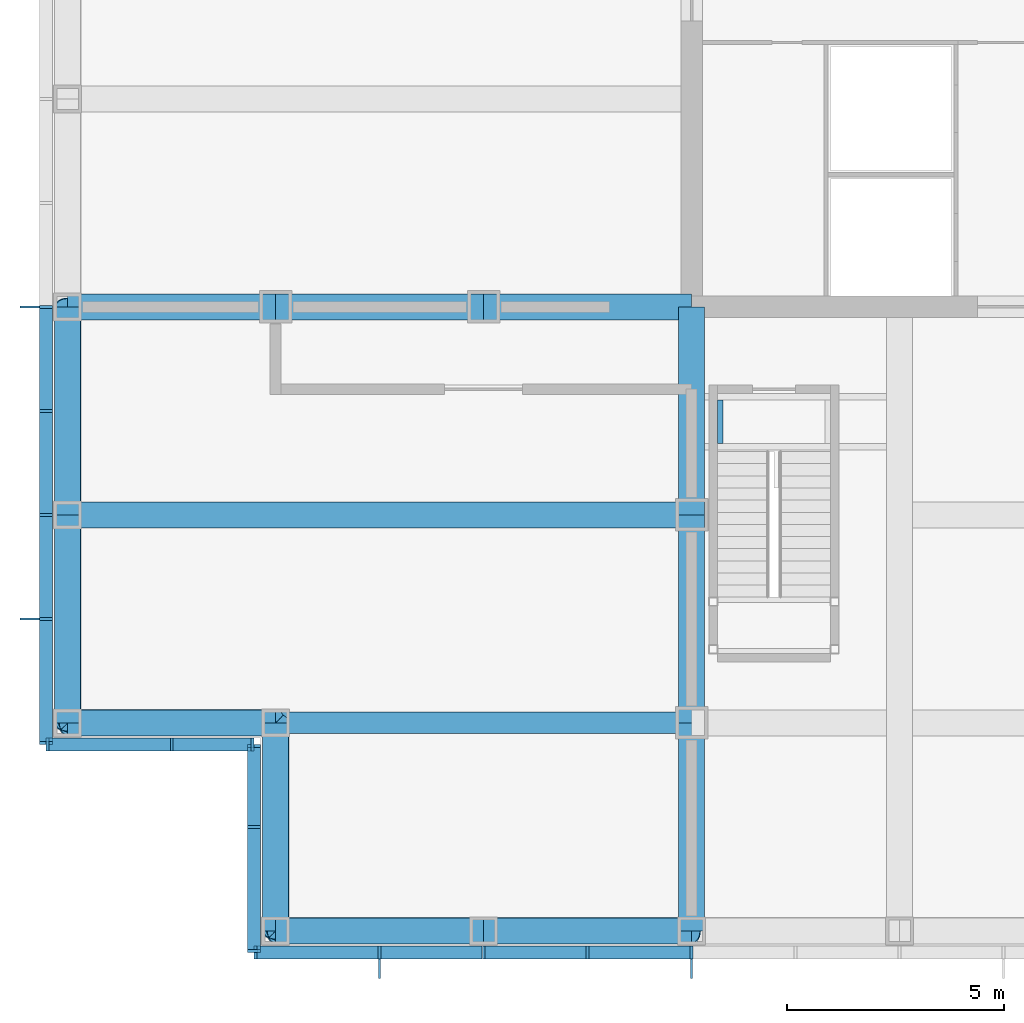
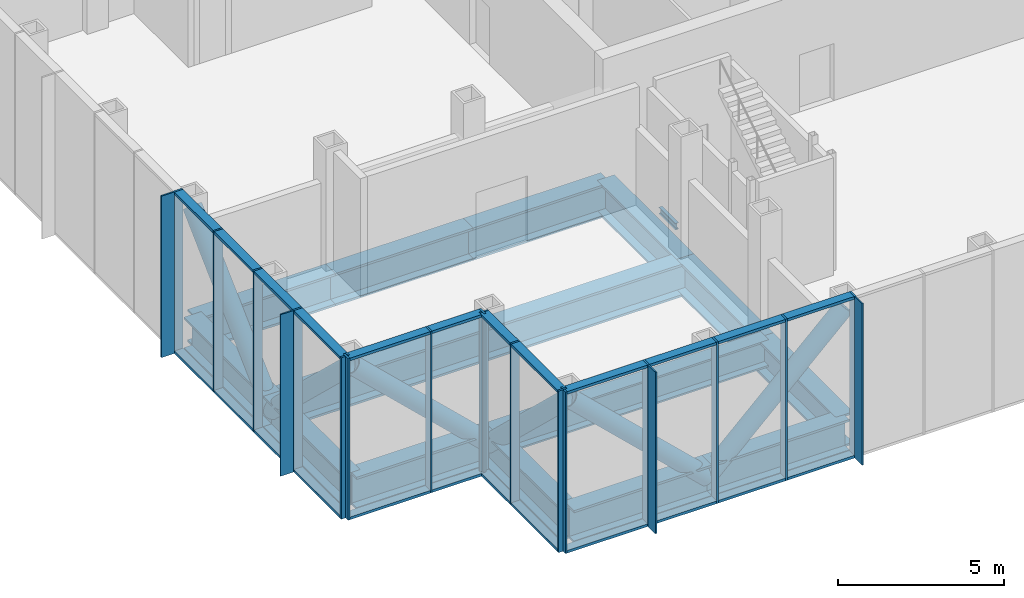
# One storey, part 6 of 18: 50 members, 15 beams, 4 elements without a shape of their own.
"""IFC4 building model written with IfcOpenShell, lengths in metres."""

from ifc_helpers import new_model, si_unit, direction, frame, origin, origin_2d, place, context, subcontext, project, spatial, rectangle, hollow_circle, i_section, extrude, material, material_profile, profile_set, type_object, element, aggregate, save


model = new_model("IFC4")

# Units and contexts
model_context = context("Model", 3, precision=1e-05, world=origin(), true_north=direction((0.0, 1.0)))
body_context = subcontext(model_context, "Body", "Model", "MODEL_VIEW")
ifc_project = project(units=[si_unit("LENGTHUNIT", "METRE"), si_unit("AREAUNIT", "SQUARE_METRE"), si_unit("VOLUMEUNIT", "CUBIC_METRE"), si_unit("PLANEANGLEUNIT", "RADIAN"), si_unit("MASSUNIT", "GRAM", prefix="KILO")], contexts=[model_context])

# Site, building, storey
site_placement = place(None, origin())
site = spatial("IfcSite", under=ifc_project, at=site_placement, CompositionType="ELEMENT")
building_placement = place(site_placement, origin())
building = spatial("IfcBuilding", under=site, at=building_placement, Name="Kvirike Care Tower", CompositionType="ELEMENT")
storey_placement = place(building_placement, frame((0.0, 0.0, 79.5)))
storey = spatial("IfcBuildingStorey", under=building, at=storey_placement, Name="L21", CompositionType="ELEMENT", Elevation=79.5)

# Members
ifc_material_1 = material(Name="Steel S355", Category="steel")
ifc_material_profile_1 = material_profile(ifc_material_1, hollow_circle(Radius=0.304931640625, WallThickness=0.030029296875, at=origin_2d()), Name="CHS 610x30")
ifc_profile_set_1 = profile_set([ifc_material_profile_1], Name="Steel S355")
member_type_1 = type_object("IfcMemberType", Name="BELT TRUSS DIAGONAL CHS 610x30", PredefinedType="BRACE", material=ifc_profile_set_1)
for number, where, z_axis, x_axis, name in (
    (1, (0.0, 24.0, -0.85009765625), (0.0, 0.723490032929, 0.690334826191), (-1.0, 0.0, 0.0), "Belt truss diagonal G3-F3 L21"),
    (2, (0.0, 24.0, -0.85009765625), (0.0, -0.723490032929, 0.690334826191), (1.0, 0.0, 0.0), "Belt truss diagonal F3-E3 L21"),
    (3, (4.800048828125, 19.199951171875, -0.85009765625), (-0.723490032929, 0.0, 0.690334826191), (0.0, -1.0, 0.0), "Belt truss diagonal E3-E4 L21"),
    (4, (4.800048828125, 19.199951171875, -0.85009765625), (0.0, -0.723490032929, 0.690334826191), (1.0, 0.0, 0.0), "Belt truss diagonal E4-D4 L21"),
    (5, (9.60009765625, 14.39990234375, -0.85009765625), (-0.723490032929, 0.0, 0.690334826191), (0.0, -1.0, 0.0), "Belt truss diagonal D4-D5 L21"),
):
    element("IfcMember", number, at=place(storey_placement, frame(where, z_axis=z_axis, x_axis=x_axis)), inside=storey, type_object=member_type_1, Name=name, PredefinedType="BRACE", context=body_context, shape_type="SweptSolid", body=[
        extrude(hollow_circle(Radius=0.304931640625, WallThickness=0.030029296875, at=origin_2d()), origin(), (0.0, 0.0, 1.0), 6.634521484375),
    ])
member_1_placement = place(storey_placement, frame((9.60009765625, 14.39990234375, -0.85009765625), z_axis=(0.723472495583, 0.0, 0.690353205348), x_axis=(0.0, 1.0, 0.0)))
element("IfcMember", 6, at=member_1_placement, inside=storey, type_object=member_type_1, Name="Belt truss diagonal D5-D6 L21", PredefinedType="BRACE", context=body_context, shape_type="SweptSolid", body=[
    extrude(hollow_circle(Radius=0.304931640625, WallThickness=0.030029296875, at=origin_2d()), origin(), (0.0, 0.0, 1.0), 6.63427734375),
])

# Curtain wall, members
ifc_material_2 = material(Name="Anodised aluminium stick system", Category="aluminium")
curtain_wall_type = type_object("IfcCurtainWallType", Name="CW-L LOUVRED PLANT SCREEN", PredefinedType="NOTDEFINED", material=ifc_material_2)
curtain_wall_1_placement = place(storey_placement, origin())
curtain_wall_1 = element("IfcCurtainWall", 7, at=curtain_wall_1_placement, inside=storey, type_object=curtain_wall_type, Name="Curtain wall L21 face 1", PredefinedType="NOTDEFINED")
ifc_material_3 = material(Name="Bronze anodised aluminium fin", Category="aluminium")
ifc_material_profile_2 = material_profile(ifc_material_3, rectangle(XDim=0.050048828125, YDim=0.449951171875, at=origin_2d()), Name="BRONZE FIN 450")
ifc_profile_set_2 = profile_set([ifc_material_profile_2], Name="Bronze anodised aluminium fin")
member_type_2 = type_object("IfcMemberType", Name="BRONZE FIN 450", PredefinedType="USERDEFINED", material=ifc_profile_set_2)
member_2_placement = place(storey_placement, frame((-0.875, 28.800048828125, -1.449951171875), z_axis=(0.0, 0.0, 1.0), x_axis=(0.0, -1.0, 0.0)))
member_2 = element("IfcMember", 8, at=member_2_placement, type_object=member_type_2, Name="Bronze fin L21 face 1.11", ObjectType="FIN", PredefinedType="USERDEFINED", context=body_context, shape_type="SweptSolid", body=[
    extrude(rectangle(XDim=0.050048828125, YDim=0.449951171875, at=origin_2d()), origin(), (0.0, 0.0, 1.0), 5.949951171875),
])
member_3_placement = place(storey_placement, frame((-0.875, 21.60009765625, -1.449951171875), z_axis=(0.0, 0.0, 1.0), x_axis=(0.0, -1.0, 0.0)))
member_3 = element("IfcMember", 9, at=member_3_placement, type_object=member_type_2, Name="Bronze fin L21 face 1.14", ObjectType="FIN", PredefinedType="USERDEFINED", context=body_context, shape_type="SweptSolid", body=[
    extrude(rectangle(XDim=0.050048828125, YDim=0.449951171875, at=origin_2d()), origin(), (0.0, 0.0, 1.0), 5.949951171875),
])

curtain_wall_2_placement = place(storey_placement, origin())
curtain_wall_2 = element("IfcCurtainWall", 10, at=curtain_wall_2_placement, inside=storey, type_object=curtain_wall_type, Name="Curtain wall L21 face 4", PredefinedType="NOTDEFINED")
member_4_placement = place(storey_placement, frame((7.199951171875, 13.52490234375, -1.449951171875), z_axis=(0.0, 0.0, 1.0), x_axis=(1.0, 0.0, 0.0)))
member_4 = element("IfcMember", 11, at=member_4_placement, type_object=member_type_2, Name="Bronze fin L21 face 4.2", ObjectType="FIN", PredefinedType="USERDEFINED", context=body_context, shape_type="SweptSolid", body=[
    extrude(rectangle(XDim=0.050048828125, YDim=0.449951171875, at=origin_2d()), origin(), (0.0, 0.0, 1.0), 5.949951171875),
])
member_5_placement = place(storey_placement, frame((14.39990234375, 13.52490234375, -1.449951171875), z_axis=(0.0, 0.0, 1.0), x_axis=(1.0, 0.0, 0.0)))
member_5 = element("IfcMember", 12, at=member_5_placement, type_object=member_type_2, Name="Bronze fin L21 face 4.5", ObjectType="FIN", PredefinedType="USERDEFINED", context=body_context, shape_type="SweptSolid", body=[
    extrude(rectangle(XDim=0.050048828125, YDim=0.449951171875, at=origin_2d()), origin(), (0.0, 0.0, 1.0), 5.949951171875),
])

# Member
ifc_material_4 = material(Name="Bronze anodised aluminium mullion", Category="aluminium")
ifc_material_profile_3 = material_profile(ifc_material_4, rectangle(XDim=0.06494140625, YDim=0.300048828125, at=origin_2d()), Name="CW-L MULLION 65x300")
ifc_profile_set_3 = profile_set([ifc_material_profile_3], Name="Bronze anodised aluminium mullion")
member_type_3 = type_object("IfcMemberType", Name="CW-L MULLION 65x300", PredefinedType="MULLION", material=ifc_profile_set_3)
member_6_placement = place(storey_placement, frame((-0.5, 28.800048828125, -1.449951171875), z_axis=(0.0, 0.0, 1.0), x_axis=(0.0, -1.0, 0.0)))
member_6 = element("IfcMember", 13, at=member_6_placement, type_object=member_type_3, Name="CW-L mullion L21 face 1.11", PredefinedType="MULLION", context=body_context, shape_type="SweptSolid", body=[
    extrude(rectangle(XDim=0.06494140625, YDim=0.300048828125, at=origin_2d()), origin(), (0.0, 0.0, 1.0), 5.949951171875),
])

member_7_placement = place(storey_placement, frame((-0.5, 26.39990234375, -1.449951171875), z_axis=(0.0, 0.0, 1.0), x_axis=(0.0, -1.0, 0.0)))
member_7 = element("IfcMember", 14, at=member_7_placement, type_object=member_type_3, Name="CW-L mullion L21 face 1.12", PredefinedType="MULLION", context=body_context, shape_type="SweptSolid", body=[
    extrude(rectangle(XDim=0.06494140625, YDim=0.300048828125, at=origin_2d()), origin(), (0.0, 0.0, 1.0), 5.949951171875),
])

member_8_placement = place(storey_placement, frame((-0.5, 24.0, -1.449951171875), z_axis=(0.0, 0.0, 1.0), x_axis=(0.0, -1.0, 0.0)))
member_8 = element("IfcMember", 15, at=member_8_placement, type_object=member_type_3, Name="CW-L mullion L21 face 1.13", PredefinedType="MULLION", context=body_context, shape_type="SweptSolid", body=[
    extrude(rectangle(XDim=0.06494140625, YDim=0.300048828125, at=origin_2d()), origin(), (0.0, 0.0, 1.0), 5.949951171875),
])

member_9_placement = place(storey_placement, frame((-0.5, 21.60009765625, -1.449951171875), z_axis=(0.0, 0.0, 1.0), x_axis=(0.0, -1.0, 0.0)))
member_9 = element("IfcMember", 16, at=member_9_placement, type_object=member_type_3, Name="CW-L mullion L21 face 1.14", PredefinedType="MULLION", context=body_context, shape_type="SweptSolid", body=[
    extrude(rectangle(XDim=0.06494140625, YDim=0.300048828125, at=origin_2d()), origin(), (0.0, 0.0, 1.0), 5.949951171875),
])

member_10_placement = place(storey_placement, frame((-0.5, 18.732421875, -1.449951171875), z_axis=(0.0, 0.0, 1.0), x_axis=(0.0, -1.0, 0.0)))
member_10 = element("IfcMember", 17, at=member_10_placement, type_object=member_type_3, Name="CW-L mullion L21 face 1.15", PredefinedType="MULLION", context=body_context, shape_type="SweptSolid", body=[
    extrude(rectangle(XDim=0.06494140625, YDim=0.300048828125, at=origin_2d()), origin(), (0.0, 0.0, 1.0), 5.949951171875),
])

# Curtain wall, members
curtain_wall_3_placement = place(storey_placement, origin())
curtain_wall_3 = element("IfcCurtainWall", 18, at=curtain_wall_3_placement, inside=storey, type_object=curtain_wall_type, Name="Curtain wall L21 face 2", PredefinedType="NOTDEFINED")
member_11_placement = place(storey_placement, frame((-0.467529296875, 18.699951171875, -1.449951171875), z_axis=(0.0, 0.0, 1.0), x_axis=(1.0, 0.0, 0.0)))
member_11 = element("IfcMember", 19, at=member_11_placement, type_object=member_type_3, Name="CW-L mullion L21 face 2.1", PredefinedType="MULLION", context=body_context, shape_type="SweptSolid", body=[
    extrude(rectangle(XDim=0.06494140625, YDim=0.300048828125, at=origin_2d()), origin(), (0.0, 0.0, 1.0), 5.949951171875),
])
member_12_placement = place(storey_placement, frame((2.39990234375, 18.699951171875, -1.449951171875), z_axis=(0.0, 0.0, 1.0), x_axis=(1.0, 0.0, 0.0)))
member_12 = element("IfcMember", 20, at=member_12_placement, type_object=member_type_3, Name="CW-L mullion L21 face 2.2", PredefinedType="MULLION", context=body_context, shape_type="SweptSolid", body=[
    extrude(rectangle(XDim=0.06494140625, YDim=0.300048828125, at=origin_2d()), origin(), (0.0, 0.0, 1.0), 5.949951171875),
])
member_13_placement = place(storey_placement, frame((4.267578125, 18.699951171875, -1.449951171875), z_axis=(0.0, 0.0, 1.0), x_axis=(1.0, 0.0, 0.0)))
member_13 = element("IfcMember", 21, at=member_13_placement, type_object=member_type_3, Name="CW-L mullion L21 face 2.3", PredefinedType="MULLION", context=body_context, shape_type="SweptSolid", body=[
    extrude(rectangle(XDim=0.06494140625, YDim=0.300048828125, at=origin_2d()), origin(), (0.0, 0.0, 1.0), 5.949951171875),
])

curtain_wall_4_placement = place(storey_placement, origin())
curtain_wall_4 = element("IfcCurtainWall", 22, at=curtain_wall_4_placement, inside=storey, type_object=curtain_wall_type, Name="Curtain wall L21 face 3", PredefinedType="NOTDEFINED")
member_14_placement = place(storey_placement, frame((4.300048828125, 18.66748046875, -1.449951171875), z_axis=(0.0, 0.0, 1.0), x_axis=(0.0, -1.0, 0.0)))
member_14 = element("IfcMember", 23, at=member_14_placement, type_object=member_type_3, Name="CW-L mullion L21 face 3.1", PredefinedType="MULLION", context=body_context, shape_type="SweptSolid", body=[
    extrude(rectangle(XDim=0.06494140625, YDim=0.300048828125, at=origin_2d()), origin(), (0.0, 0.0, 1.0), 5.949951171875),
])
member_15_placement = place(storey_placement, frame((4.300048828125, 16.800048828125, -1.449951171875), z_axis=(0.0, 0.0, 1.0), x_axis=(0.0, -1.0, 0.0)))
member_15 = element("IfcMember", 24, at=member_15_placement, type_object=member_type_3, Name="CW-L mullion L21 face 3.2", PredefinedType="MULLION", context=body_context, shape_type="SweptSolid", body=[
    extrude(rectangle(XDim=0.06494140625, YDim=0.300048828125, at=origin_2d()), origin(), (0.0, 0.0, 1.0), 5.949951171875),
])
member_16_placement = place(storey_placement, frame((4.300048828125, 13.9326171875, -1.449951171875), z_axis=(0.0, 0.0, 1.0), x_axis=(0.0, -1.0, 0.0)))
member_16 = element("IfcMember", 25, at=member_16_placement, type_object=member_type_3, Name="CW-L mullion L21 face 3.3", PredefinedType="MULLION", context=body_context, shape_type="SweptSolid", body=[
    extrude(rectangle(XDim=0.06494140625, YDim=0.300048828125, at=origin_2d()), origin(), (0.0, 0.0, 1.0), 5.949951171875),
])

# Member
member_17_placement = place(storey_placement, frame((4.33251953125, 13.89990234375, -1.449951171875), z_axis=(0.0, 0.0, 1.0), x_axis=(1.0, 0.0, 0.0)))
member_17 = element("IfcMember", 26, at=member_17_placement, type_object=member_type_3, Name="CW-L mullion L21 face 4.1", PredefinedType="MULLION", context=body_context, shape_type="SweptSolid", body=[
    extrude(rectangle(XDim=0.06494140625, YDim=0.300048828125, at=origin_2d()), origin(), (0.0, 0.0, 1.0), 5.949951171875),
])

member_18_placement = place(storey_placement, frame((7.199951171875, 13.89990234375, -1.449951171875), z_axis=(0.0, 0.0, 1.0), x_axis=(1.0, 0.0, 0.0)))
member_18 = element("IfcMember", 27, at=member_18_placement, type_object=member_type_3, Name="CW-L mullion L21 face 4.2", PredefinedType="MULLION", context=body_context, shape_type="SweptSolid", body=[
    extrude(rectangle(XDim=0.06494140625, YDim=0.300048828125, at=origin_2d()), origin(), (0.0, 0.0, 1.0), 5.949951171875),
])

member_19_placement = place(storey_placement, frame((9.60009765625, 13.89990234375, -1.449951171875), z_axis=(0.0, 0.0, 1.0), x_axis=(1.0, 0.0, 0.0)))
member_19 = element("IfcMember", 28, at=member_19_placement, type_object=member_type_3, Name="CW-L mullion L21 face 4.3", PredefinedType="MULLION", context=body_context, shape_type="SweptSolid", body=[
    extrude(rectangle(XDim=0.06494140625, YDim=0.300048828125, at=origin_2d()), origin(), (0.0, 0.0, 1.0), 5.949951171875),
])

member_20_placement = place(storey_placement, frame((12.0, 13.89990234375, -1.449951171875), z_axis=(0.0, 0.0, 1.0), x_axis=(1.0, 0.0, 0.0)))
member_20 = element("IfcMember", 29, at=member_20_placement, type_object=member_type_3, Name="CW-L mullion L21 face 4.4", PredefinedType="MULLION", context=body_context, shape_type="SweptSolid", body=[
    extrude(rectangle(XDim=0.06494140625, YDim=0.300048828125, at=origin_2d()), origin(), (0.0, 0.0, 1.0), 5.949951171875),
])

member_21_placement = place(storey_placement, frame((14.39990234375, 13.89990234375, -1.449951171875), z_axis=(0.0, 0.0, 1.0), x_axis=(1.0, 0.0, 0.0)))
member_21 = element("IfcMember", 30, at=member_21_placement, type_object=member_type_3, Name="CW-L mullion L21 face 4.5", PredefinedType="MULLION", context=body_context, shape_type="SweptSolid", body=[
    extrude(rectangle(XDim=0.06494140625, YDim=0.300048828125, at=origin_2d()), origin(), (0.0, 0.0, 1.0), 5.949951171875),
])

ifc_material_5 = material(Name="Bronze anodised aluminium transom", Category="aluminium")
ifc_material_profile_4 = material_profile(ifc_material_5, rectangle(XDim=0.300048828125, YDim=0.10009765625, at=origin_2d()), Name="CW-L TRANSOM 300x100")
ifc_profile_set_4 = profile_set([ifc_material_profile_4], Name="Bronze anodised aluminium transom")
member_type_4 = type_object("IfcMemberType", Name="CW-L TRANSOM 300x100", PredefinedType="USERDEFINED", material=ifc_profile_set_4)
member_22_placement = place(storey_placement, frame((-0.5, 28.767578125, -1.39990234375), z_axis=(0.0, -1.0, 0.0), x_axis=(1.0, 0.0, 0.0)))
member_22 = element("IfcMember", 31, at=member_22_placement, type_object=member_type_4, Name="CW-L sill transom L21 face 1.11", ObjectType="TRANSOM", PredefinedType="USERDEFINED", context=body_context, shape_type="SweptSolid", body=[
    extrude(rectangle(XDim=0.300048828125, YDim=0.10009765625, at=origin_2d()), origin(), (0.0, 0.0, 1.0), 2.3349609375),
])

member_23_placement = place(storey_placement, frame((-0.5, 28.767578125, 4.449951171875), z_axis=(0.0, -1.0, 0.0), x_axis=(1.0, 0.0, 0.0)))
member_23 = element("IfcMember", 32, at=member_23_placement, type_object=member_type_4, Name="CW-L head transom L21 face 1.11", ObjectType="TRANSOM", PredefinedType="USERDEFINED", context=body_context, shape_type="SweptSolid", body=[
    extrude(rectangle(XDim=0.300048828125, YDim=0.10009765625, at=origin_2d()), origin(), (0.0, 0.0, 1.0), 2.3349609375),
])

member_24_placement = place(storey_placement, frame((-0.5, 26.367431640625, -1.39990234375), z_axis=(0.0, -1.0, 0.0), x_axis=(1.0, 0.0, 0.0)))
member_24 = element("IfcMember", 33, at=member_24_placement, type_object=member_type_4, Name="CW-L sill transom L21 face 1.12", ObjectType="TRANSOM", PredefinedType="USERDEFINED", context=body_context, shape_type="SweptSolid", body=[
    extrude(rectangle(XDim=0.300048828125, YDim=0.10009765625, at=origin_2d()), origin(), (0.0, 0.0, 1.0), 2.3349609375),
])

member_25_placement = place(storey_placement, frame((-0.5, 26.367431640625, 4.449951171875), z_axis=(0.0, -1.0, 0.0), x_axis=(1.0, 0.0, 0.0)))
member_25 = element("IfcMember", 34, at=member_25_placement, type_object=member_type_4, Name="CW-L head transom L21 face 1.12", ObjectType="TRANSOM", PredefinedType="USERDEFINED", context=body_context, shape_type="SweptSolid", body=[
    extrude(rectangle(XDim=0.300048828125, YDim=0.10009765625, at=origin_2d()), origin(), (0.0, 0.0, 1.0), 2.3349609375),
])

member_26_placement = place(storey_placement, frame((-0.5, 23.967529296875, -1.39990234375), z_axis=(0.0, -1.0, 0.0), x_axis=(1.0, 0.0, 0.0)))
member_26 = element("IfcMember", 35, at=member_26_placement, type_object=member_type_4, Name="CW-L sill transom L21 face 1.13", ObjectType="TRANSOM", PredefinedType="USERDEFINED", context=body_context, shape_type="SweptSolid", body=[
    extrude(rectangle(XDim=0.300048828125, YDim=0.10009765625, at=origin_2d()), origin(), (0.0, 0.0, 1.0), 2.3349609375),
])

member_27_placement = place(storey_placement, frame((-0.5, 23.967529296875, 4.449951171875), z_axis=(0.0, -1.0, 0.0), x_axis=(1.0, 0.0, 0.0)))
member_27 = element("IfcMember", 36, at=member_27_placement, type_object=member_type_4, Name="CW-L head transom L21 face 1.13", ObjectType="TRANSOM", PredefinedType="USERDEFINED", context=body_context, shape_type="SweptSolid", body=[
    extrude(rectangle(XDim=0.300048828125, YDim=0.10009765625, at=origin_2d()), origin(), (0.0, 0.0, 1.0), 2.3349609375),
])

member_28_placement = place(storey_placement, frame((-0.5, 21.5673828125, -1.39990234375), z_axis=(0.0, -1.0, 0.0), x_axis=(1.0, 0.0, 0.0)))
member_28 = element("IfcMember", 37, at=member_28_placement, type_object=member_type_4, Name="CW-L sill transom L21 face 1.14", ObjectType="TRANSOM", PredefinedType="USERDEFINED", context=body_context, shape_type="SweptSolid", body=[
    extrude(rectangle(XDim=0.300048828125, YDim=0.10009765625, at=origin_2d()), origin(), (0.0, 0.0, 1.0), 2.802490234375),
])

member_29_placement = place(storey_placement, frame((-0.5, 21.5673828125, 4.449951171875), z_axis=(0.0, -1.0, 0.0), x_axis=(1.0, 0.0, 0.0)))
member_29 = element("IfcMember", 38, at=member_29_placement, type_object=member_type_4, Name="CW-L head transom L21 face 1.14", ObjectType="TRANSOM", PredefinedType="USERDEFINED", context=body_context, shape_type="SweptSolid", body=[
    extrude(rectangle(XDim=0.300048828125, YDim=0.10009765625, at=origin_2d()), origin(), (0.0, 0.0, 1.0), 2.802490234375),
])

aggregate(curtain_wall_1, [member_6, member_2, member_7, member_8, member_9, member_3, member_10, member_22, member_23, member_24, member_25, member_26, member_27, member_28, member_29])

member_30_placement = place(storey_placement, frame((-0.43505859375, 18.699951171875, -1.39990234375), z_axis=(1.0, 0.0, 0.0), x_axis=(0.0, 1.0, 0.0)))
member_30 = element("IfcMember", 39, at=member_30_placement, type_object=member_type_4, Name="CW-L sill transom L21 face 2.1", ObjectType="TRANSOM", PredefinedType="USERDEFINED", context=body_context, shape_type="SweptSolid", body=[
    extrude(rectangle(XDim=0.300048828125, YDim=0.10009765625, at=origin_2d()), origin(), (0.0, 0.0, 1.0), 2.802490234375),
])

member_31_placement = place(storey_placement, frame((-0.43505859375, 18.699951171875, 4.449951171875), z_axis=(1.0, 0.0, 0.0), x_axis=(0.0, 1.0, 0.0)))
member_31 = element("IfcMember", 40, at=member_31_placement, type_object=member_type_4, Name="CW-L head transom L21 face 2.1", ObjectType="TRANSOM", PredefinedType="USERDEFINED", context=body_context, shape_type="SweptSolid", body=[
    extrude(rectangle(XDim=0.300048828125, YDim=0.10009765625, at=origin_2d()), origin(), (0.0, 0.0, 1.0), 2.802490234375),
])

member_32_placement = place(storey_placement, frame((2.4326171875, 18.699951171875, -1.39990234375), z_axis=(1.0, 0.0, 0.0), x_axis=(0.0, 1.0, 0.0)))
member_32 = element("IfcMember", 41, at=member_32_placement, type_object=member_type_4, Name="CW-L sill transom L21 face 2.2", ObjectType="TRANSOM", PredefinedType="USERDEFINED", context=body_context, shape_type="SweptSolid", body=[
    extrude(rectangle(XDim=0.300048828125, YDim=0.10009765625, at=origin_2d()), origin(), (0.0, 0.0, 1.0), 1.802490234375),
])

member_33_placement = place(storey_placement, frame((2.4326171875, 18.699951171875, 4.449951171875), z_axis=(1.0, 0.0, 0.0), x_axis=(0.0, 1.0, 0.0)))
member_33 = element("IfcMember", 42, at=member_33_placement, type_object=member_type_4, Name="CW-L head transom L21 face 2.2", ObjectType="TRANSOM", PredefinedType="USERDEFINED", context=body_context, shape_type="SweptSolid", body=[
    extrude(rectangle(XDim=0.300048828125, YDim=0.10009765625, at=origin_2d()), origin(), (0.0, 0.0, 1.0), 1.802490234375),
])

aggregate(curtain_wall_3, [member_11, member_12, member_13, member_30, member_31, member_32, member_33])

member_34_placement = place(storey_placement, frame((4.300048828125, 18.635009765625, -1.39990234375), z_axis=(0.0, -1.0, 0.0), x_axis=(1.0, 0.0, 0.0)))
member_34 = element("IfcMember", 43, at=member_34_placement, type_object=member_type_4, Name="CW-L sill transom L21 face 3.1", ObjectType="TRANSOM", PredefinedType="USERDEFINED", context=body_context, shape_type="SweptSolid", body=[
    extrude(rectangle(XDim=0.300048828125, YDim=0.10009765625, at=origin_2d()), origin(), (0.0, 0.0, 1.0), 1.802490234375),
])

member_35_placement = place(storey_placement, frame((4.300048828125, 18.635009765625, 4.449951171875), z_axis=(0.0, -1.0, 0.0), x_axis=(1.0, 0.0, 0.0)))
member_35 = element("IfcMember", 44, at=member_35_placement, type_object=member_type_4, Name="CW-L head transom L21 face 3.1", ObjectType="TRANSOM", PredefinedType="USERDEFINED", context=body_context, shape_type="SweptSolid", body=[
    extrude(rectangle(XDim=0.300048828125, YDim=0.10009765625, at=origin_2d()), origin(), (0.0, 0.0, 1.0), 1.802490234375),
])

member_36_placement = place(storey_placement, frame((4.300048828125, 16.767578125, -1.39990234375), z_axis=(0.0, -1.0, 0.0), x_axis=(1.0, 0.0, 0.0)))
member_36 = element("IfcMember", 45, at=member_36_placement, type_object=member_type_4, Name="CW-L sill transom L21 face 3.2", ObjectType="TRANSOM", PredefinedType="USERDEFINED", context=body_context, shape_type="SweptSolid", body=[
    extrude(rectangle(XDim=0.300048828125, YDim=0.10009765625, at=origin_2d()), origin(), (0.0, 0.0, 1.0), 2.802490234375),
])

member_37_placement = place(storey_placement, frame((4.300048828125, 16.767578125, 4.449951171875), z_axis=(0.0, -1.0, 0.0), x_axis=(1.0, 0.0, 0.0)))
member_37 = element("IfcMember", 46, at=member_37_placement, type_object=member_type_4, Name="CW-L head transom L21 face 3.2", ObjectType="TRANSOM", PredefinedType="USERDEFINED", context=body_context, shape_type="SweptSolid", body=[
    extrude(rectangle(XDim=0.300048828125, YDim=0.10009765625, at=origin_2d()), origin(), (0.0, 0.0, 1.0), 2.802490234375),
])

aggregate(curtain_wall_4, [member_14, member_15, member_16, member_34, member_35, member_36, member_37])

member_38_placement = place(storey_placement, frame((4.364990234375, 13.89990234375, -1.39990234375), z_axis=(1.0, 0.0, 0.0), x_axis=(0.0, 1.0, 0.0)))
member_38 = element("IfcMember", 47, at=member_38_placement, type_object=member_type_4, Name="CW-L sill transom L21 face 4.1", ObjectType="TRANSOM", PredefinedType="USERDEFINED", context=body_context, shape_type="SweptSolid", body=[
    extrude(rectangle(XDim=0.300048828125, YDim=0.10009765625, at=origin_2d()), origin(), (0.0, 0.0, 1.0), 2.802490234375),
])

member_39_placement = place(storey_placement, frame((4.364990234375, 13.89990234375, 4.449951171875), z_axis=(1.0, 0.0, 0.0), x_axis=(0.0, 1.0, 0.0)))
member_39 = element("IfcMember", 48, at=member_39_placement, type_object=member_type_4, Name="CW-L head transom L21 face 4.1", ObjectType="TRANSOM", PredefinedType="USERDEFINED", context=body_context, shape_type="SweptSolid", body=[
    extrude(rectangle(XDim=0.300048828125, YDim=0.10009765625, at=origin_2d()), origin(), (0.0, 0.0, 1.0), 2.802490234375),
])

member_40_placement = place(storey_placement, frame((7.232421875, 13.89990234375, -1.39990234375), z_axis=(1.0, 0.0, 0.0), x_axis=(0.0, 1.0, 0.0)))
member_40 = element("IfcMember", 49, at=member_40_placement, type_object=member_type_4, Name="CW-L sill transom L21 face 4.2", ObjectType="TRANSOM", PredefinedType="USERDEFINED", context=body_context, shape_type="SweptSolid", body=[
    extrude(rectangle(XDim=0.300048828125, YDim=0.10009765625, at=origin_2d()), origin(), (0.0, 0.0, 1.0), 2.3349609375),
])

member_41_placement = place(storey_placement, frame((7.232421875, 13.89990234375, 4.449951171875), z_axis=(1.0, 0.0, 0.0), x_axis=(0.0, 1.0, 0.0)))
member_41 = element("IfcMember", 50, at=member_41_placement, type_object=member_type_4, Name="CW-L head transom L21 face 4.2", ObjectType="TRANSOM", PredefinedType="USERDEFINED", context=body_context, shape_type="SweptSolid", body=[
    extrude(rectangle(XDim=0.300048828125, YDim=0.10009765625, at=origin_2d()), origin(), (0.0, 0.0, 1.0), 2.3349609375),
])

member_42_placement = place(storey_placement, frame((9.632568359375, 13.89990234375, -1.39990234375), z_axis=(1.0, 0.0, 0.0), x_axis=(0.0, 1.0, 0.0)))
member_42 = element("IfcMember", 51, at=member_42_placement, type_object=member_type_4, Name="CW-L sill transom L21 face 4.3", ObjectType="TRANSOM", PredefinedType="USERDEFINED", context=body_context, shape_type="SweptSolid", body=[
    extrude(rectangle(XDim=0.300048828125, YDim=0.10009765625, at=origin_2d()), origin(), (0.0, 0.0, 1.0), 2.3349609375),
])

member_43_placement = place(storey_placement, frame((9.632568359375, 13.89990234375, 4.449951171875), z_axis=(1.0, 0.0, 0.0), x_axis=(0.0, 1.0, 0.0)))
member_43 = element("IfcMember", 52, at=member_43_placement, type_object=member_type_4, Name="CW-L head transom L21 face 4.3", ObjectType="TRANSOM", PredefinedType="USERDEFINED", context=body_context, shape_type="SweptSolid", body=[
    extrude(rectangle(XDim=0.300048828125, YDim=0.10009765625, at=origin_2d()), origin(), (0.0, 0.0, 1.0), 2.3349609375),
])

member_44_placement = place(storey_placement, frame((12.032470703125, 13.89990234375, -1.39990234375), z_axis=(1.0, 0.0, 0.0), x_axis=(0.0, 1.0, 0.0)))
member_44 = element("IfcMember", 53, at=member_44_placement, type_object=member_type_4, Name="CW-L sill transom L21 face 4.4", ObjectType="TRANSOM", PredefinedType="USERDEFINED", context=body_context, shape_type="SweptSolid", body=[
    extrude(rectangle(XDim=0.300048828125, YDim=0.10009765625, at=origin_2d()), origin(), (0.0, 0.0, 1.0), 2.3349609375),
])

member_45_placement = place(storey_placement, frame((12.032470703125, 13.89990234375, 4.449951171875), z_axis=(1.0, 0.0, 0.0), x_axis=(0.0, 1.0, 0.0)))
member_45 = element("IfcMember", 54, at=member_45_placement, type_object=member_type_4, Name="CW-L head transom L21 face 4.4", ObjectType="TRANSOM", PredefinedType="USERDEFINED", context=body_context, shape_type="SweptSolid", body=[
    extrude(rectangle(XDim=0.300048828125, YDim=0.10009765625, at=origin_2d()), origin(), (0.0, 0.0, 1.0), 2.3349609375),
])

aggregate(curtain_wall_2, [member_17, member_18, member_4, member_19, member_20, member_21, member_5, member_38, member_39, member_40, member_41, member_42, member_43, member_44, member_45])

# Beams
ifc_material_6 = material(Name="Steel S355", Category="steel")
ifc_material_profile_5 = material_profile(ifc_material_6, i_section(OverallWidth=0.60009765625, OverallDepth=1.199951171875, WebThickness=0.0400390625, FlangeThickness=0.080078125, at=origin_2d()), Name="PG 1200x600x40x80")
ifc_profile_set_5 = profile_set([ifc_material_profile_5], Name="Steel S355")
beam_type_1 = type_object("IfcBeamType", Name="FRAME BEAM PG 1200x600x40x80", PredefinedType="BEAM", material=ifc_profile_set_5)
for number, where, z_axis, x_axis, name in (
    (55, (0.0, 28.800048828125, -0.85009765625), (1.0, 0.0, 0.0), (0.0, 1.0, 0.0), "Frame Beam G3-G4 L21"),
    (56, (4.800048828125, 28.800048828125, -0.85009765625), (1.0, 0.0, 0.0), (0.0, 1.0, 0.0), "Frame Beam G4-G5 L21"),
):
    element("IfcBeam", number, at=place(storey_placement, frame(where, z_axis=z_axis, x_axis=x_axis)), inside=storey, type_object=beam_type_1, Name=name, PredefinedType="BEAM", context=body_context, shape_type="SweptSolid", body=[
        extrude(i_section(OverallWidth=0.60009765625, OverallDepth=1.199951171875, WebThickness=0.0400390625, FlangeThickness=0.080078125, at=origin_2d()), origin(), (0.0, 0.0, 1.0), 4.800048828125),
    ])
beam_1_placement = place(storey_placement, frame((9.60009765625, 28.800048828125, -0.85009765625), z_axis=(1.0, 0.0, 0.0), x_axis=(0.0, 1.0, 0.0)))
element("IfcBeam", 57, at=beam_1_placement, inside=storey, type_object=beam_type_1, Name="Frame Beam G5-G6 L21", PredefinedType="BEAM", context=body_context, shape_type="SweptSolid", body=[
    extrude(i_section(OverallWidth=0.60009765625, OverallDepth=1.199951171875, WebThickness=0.0400390625, FlangeThickness=0.080078125, at=origin_2d()), origin(), (0.0, 0.0, 1.0), 4.7998046875),
])
for number, where, z_axis, x_axis, name in (
    (58, (14.39990234375, 14.39990234375, -0.85009765625), (0.0, 1.0, 0.0), (-1.0, 0.0, 0.0), "Frame Beam D6-E6 L21"),
    (59, (14.39990234375, 19.199951171875, -0.85009765625), (0.0, 1.0, 0.0), (-1.0, 0.0, 0.0), "Frame Beam E6-F6 L21"),
    (60, (14.39990234375, 24.0, -0.85009765625), (0.0, 1.0, 0.0), (-1.0, 0.0, 0.0), "Frame Beam F6-G6 L21"),
):
    element("IfcBeam", number, at=place(storey_placement, frame(where, z_axis=z_axis, x_axis=x_axis)), inside=storey, type_object=beam_type_1, Name=name, PredefinedType="BEAM", context=body_context, shape_type="SweptSolid", body=[
        extrude(i_section(OverallWidth=0.60009765625, OverallDepth=1.199951171875, WebThickness=0.0400390625, FlangeThickness=0.080078125, at=origin_2d()), origin(), (0.0, 0.0, 1.0), 4.800048828125),
    ])
ifc_material_7 = material(Name="Steel S355", Category="steel")
ifc_material_profile_6 = material_profile(ifc_material_7, i_section(OverallWidth=0.5, OverallDepth=1.0, WebThickness=0.030029296875, FlangeThickness=0.06005859375, at=origin_2d()), Name="PG 1000x500x30x60")
ifc_profile_set_6 = profile_set([ifc_material_profile_6], Name="Steel S355")
beam_type_2 = type_object("IfcBeamType", Name="PLANT FLOOR GIRDER PG 1000x500x30x60", PredefinedType="BEAM", material=ifc_profile_set_6)
beam_2_placement = place(storey_placement, frame((4.800048828125, 19.199951171875, -0.75), z_axis=(1.0, 0.0, 0.0), x_axis=(0.0, 1.0, 0.0)))
element("IfcBeam", 61, at=beam_2_placement, inside=storey, type_object=beam_type_2, Name="Plant Floor Girder E4-E6 L21", PredefinedType="BEAM", context=body_context, shape_type="SweptSolid", body=[
    extrude(i_section(OverallWidth=0.5, OverallDepth=1.0, WebThickness=0.030029296875, FlangeThickness=0.06005859375, at=origin_2d()), origin(), (0.0, 0.0, 1.0), 9.599853515625),
])
ifc_material_8 = material(Name="Steel S355", Category="steel")
ifc_material_profile_7 = material_profile(ifc_material_8, i_section(OverallWidth=0.60009765625, OverallDepth=1.199951171875, WebThickness=0.0400390625, FlangeThickness=0.080078125, at=origin_2d()), Name="PG 1200x600x40x80")
ifc_profile_set_7 = profile_set([ifc_material_profile_7], Name="Steel S355")
beam_type_3 = type_object("IfcBeamType", Name="PLANT FLOOR GIRDER PG 1200x600x40x80", PredefinedType="BEAM", material=ifc_profile_set_7)
beam_3_placement = place(storey_placement, frame((0.0, 24.0, -0.85009765625), z_axis=(1.0, 0.0, 0.0), x_axis=(0.0, 1.0, 0.0)))
element("IfcBeam", 62, at=beam_3_placement, inside=storey, type_object=beam_type_3, Name="Plant Floor Girder F3-F6 L21", PredefinedType="BEAM", context=body_context, shape_type="SweptSolid", body=[
    extrude(i_section(OverallWidth=0.60009765625, OverallDepth=1.199951171875, WebThickness=0.0400390625, FlangeThickness=0.080078125, at=origin_2d()), origin(), (0.0, 0.0, 1.0), 14.39990234375),
])
ifc_material_9 = material(Name="Steel S355", Category="steel")
ifc_material_profile_8 = material_profile(ifc_material_9, i_section(OverallWidth=0.60009765625, OverallDepth=1.199951171875, WebThickness=0.0400390625, FlangeThickness=0.080078125, at=origin_2d()), Name="PG 1200x600x40x80")
ifc_profile_set_8 = profile_set([ifc_material_profile_8], Name="Steel S355")
beam_type_4 = type_object("IfcBeamType", Name="SPANDREL PG 1200x600x40x80", PredefinedType="SPANDREL", material=ifc_profile_set_8)
beam_4_placement = place(storey_placement, frame((4.800048828125, 14.39990234375, -0.85009765625), z_axis=(1.0, 0.0, 0.0), x_axis=(0.0, 1.0, 0.0)))
element("IfcBeam", 63, at=beam_4_placement, inside=storey, type_object=beam_type_4, Name="Spandrel D4-D5 L21", PredefinedType="SPANDREL", context=body_context, shape_type="SweptSolid", body=[
    extrude(i_section(OverallWidth=0.60009765625, OverallDepth=1.199951171875, WebThickness=0.0400390625, FlangeThickness=0.080078125, at=origin_2d()), origin(), (0.0, 0.0, 1.0), 4.800048828125),
])
beam_5_placement = place(storey_placement, frame((9.60009765625, 14.39990234375, -0.85009765625), z_axis=(1.0, 0.0, 0.0), x_axis=(0.0, 1.0, 0.0)))
element("IfcBeam", 64, at=beam_5_placement, inside=storey, type_object=beam_type_4, Name="Spandrel D5-D6 L21", PredefinedType="SPANDREL", context=body_context, shape_type="SweptSolid", body=[
    extrude(i_section(OverallWidth=0.60009765625, OverallDepth=1.199951171875, WebThickness=0.0400390625, FlangeThickness=0.080078125, at=origin_2d()), origin(), (0.0, 0.0, 1.0), 4.7998046875),
])
for number, where, z_axis, x_axis, name in (
    (65, (0.0, 19.199951171875, -0.85009765625), (1.0, 0.0, 0.0), (0.0, 1.0, 0.0), "Spandrel E3-E4 L21"),
    (66, (0.0, 19.199951171875, -0.85009765625), (0.0, 1.0, 0.0), (-1.0, 0.0, 0.0), "Spandrel E3-F3 L21"),
    (67, (0.0, 24.0, -0.85009765625), (0.0, 1.0, 0.0), (-1.0, 0.0, 0.0), "Spandrel F3-G3 L21"),
    (68, (4.800048828125, 14.39990234375, -0.85009765625), (0.0, 1.0, 0.0), (-1.0, 0.0, 0.0), "Spandrel D4-E4 L21"),
):
    element("IfcBeam", number, at=place(storey_placement, frame(where, z_axis=z_axis, x_axis=x_axis)), inside=storey, type_object=beam_type_4, Name=name, PredefinedType="SPANDREL", context=body_context, shape_type="SweptSolid", body=[
        extrude(i_section(OverallWidth=0.60009765625, OverallDepth=1.199951171875, WebThickness=0.0400390625, FlangeThickness=0.080078125, at=origin_2d()), origin(), (0.0, 0.0, 1.0), 4.800048828125),
    ])
ifc_material_10 = material(Name="Steel S355", Category="steel")
ifc_material_profile_9 = material_profile(ifc_material_10, i_section(OverallWidth=0.1201171875, OverallDepth=0.239990234375, WebThickness=0.006103515625, FlangeThickness=0.009765625, FilletRadius=0.014892578125, at=origin_2d()), Name="IPE 240")
ifc_profile_set_9 = profile_set([ifc_material_profile_9], Name="Steel S355")
beam_type_5 = type_object("IfcBeamType", Name="STAIR LANDING BEAM IPE 240", PredefinedType="BEAM", material=ifc_profile_set_9)
beam_6_placement = place(storey_placement, frame((15.06005859375, 25.64990234375, -0.3701171875), z_axis=(0.0, 1.0, 0.0), x_axis=(-1.0, 0.0, 0.0)))
element("IfcBeam", 69, at=beam_6_placement, inside=storey, type_object=beam_type_5, Name="Stair 5 landing edge beam 1 L21", PredefinedType="BEAM", context=body_context, shape_type="SweptSolid", body=[
    extrude(i_section(OverallWidth=0.1201171875, OverallDepth=0.239990234375, WebThickness=0.006103515625, FlangeThickness=0.009765625, FilletRadius=0.014892578125, at=origin_2d()), origin(), (0.0, 0.0, 1.0), 1.0),
])

save(model, "model.ifc")
